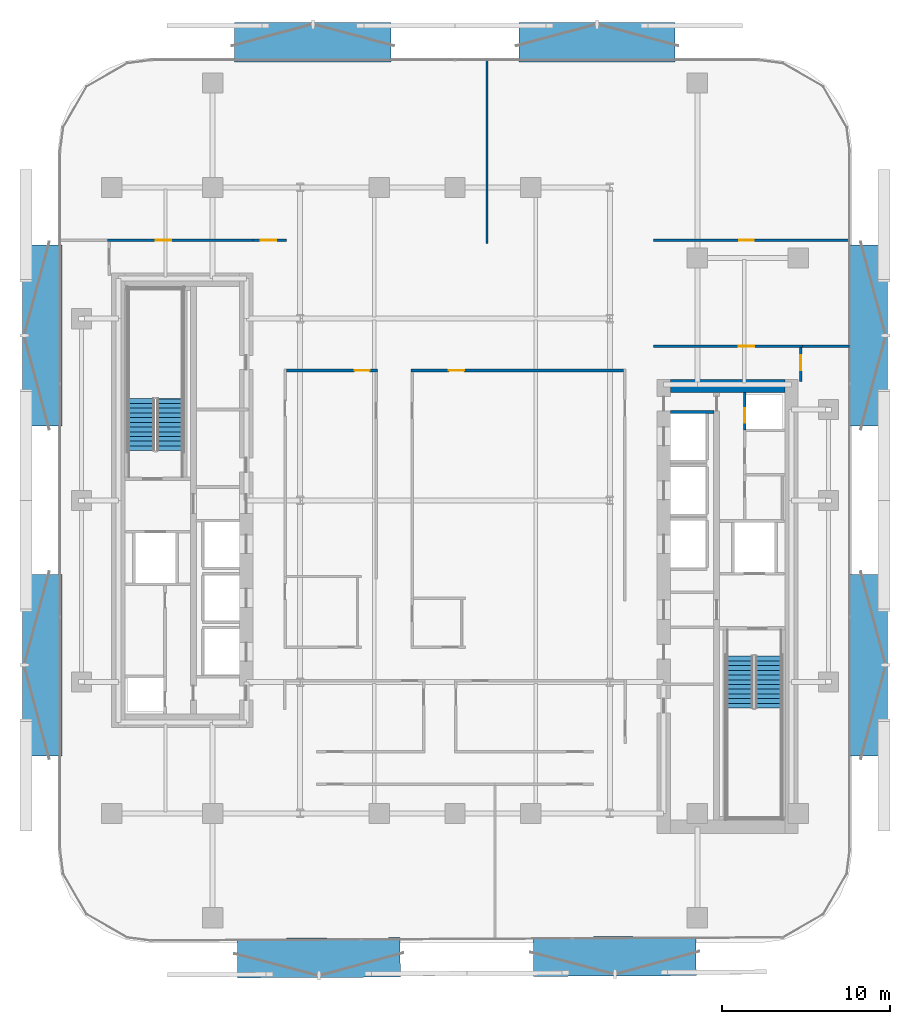
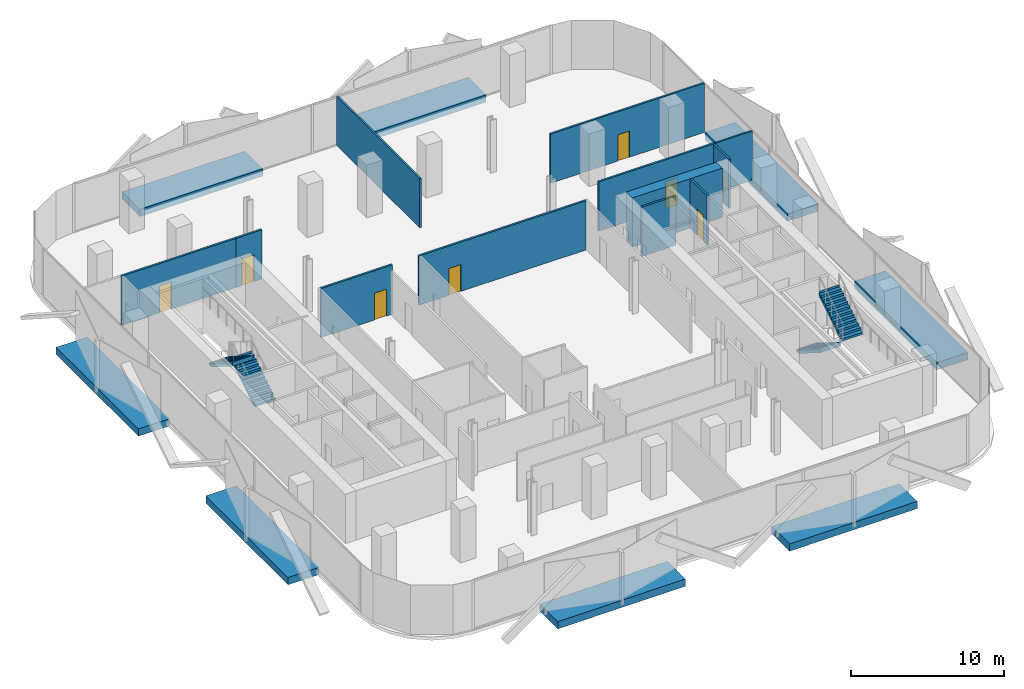
# One storey, part 6 of 15: 12 walls, 8 discrete accessories, 8 doors, 4 stair flights, 8 openings, 2 elements without a shape of their own.
"""IFC4 building model written with IfcOpenShell, lengths in metres."""

import ifcopenshell
import ifcopenshell.guid

model = None  # the IFC model being written
_history = None  # IfcOwnerHistory: only IFC2X3 demands one
_inside = {}  # id of a spatial element -> (the spatial element, [elements in it])
_under = {}  # id of a project, library or spatial element -> (it, [spatial elements below it])
_declared = {}  # id of a project -> (the project, [libraries it declares])
_typed = {}  # id of a type object -> (the type object, [elements of that type])
_made_of = {}  # id of a material, layer set ... -> (it, [elements and type objects made of it])


def new_model(schema):
    """Start an empty IFC model of exactly this schema.

    Asked for "IFC4X3", IfcOpenShell would pick the latest addendum, in which some entities
    have other attributes; the version numbers below select the first issue.
    IFC2X3 requires an IfcOwnerHistory on every rooted entity: one is made here for all.
    """
    global model, _history
    if schema == "IFC4X3":
        model = ifcopenshell.file(schema_version=(4, 3, 0, 0))
    else:
        model = ifcopenshell.file(schema=schema)
    _inside.clear()
    _under.clear()
    _declared.clear()
    _typed.clear()
    _made_of.clear()
    _history = None
    if model.schema == "IFC2X3":
        org = make("IfcOrganization", Name="unknown")
        user = make(
            "IfcPersonAndOrganization",
            ThePerson=make("IfcPerson", FamilyName="unknown"),
            TheOrganization=org,
        )
        app = make(
            "IfcApplication",
            ApplicationDeveloper=org,
            Version="unknown",
            ApplicationFullName="unknown",
            ApplicationIdentifier="unknown",
        )
        _history = make(
            "IfcOwnerHistory",
            OwningUser=user,
            OwningApplication=app,
            ChangeAction="ADDED",
            CreationDate=0,
        )
    return model


def make(cls, **values):
    """One entity of the class cls with the attributes given. An attribute that is None is left unset."""
    return model.create_entity(
        cls, **{name: value for name, value in values.items() if value is not None}
    )


def rooted(cls, **values):
    """An entity with a GlobalId (a new one), such as an element, a storey or a relation."""
    return make(cls, GlobalId=ifcopenshell.guid.new(), OwnerHistory=_history, **values)


def si_unit(unit_type, name, prefix=None):
    """IfcSIUnit, for example si_unit("LENGTHUNIT", "METRE", prefix="MILLI")."""
    return make("IfcSIUnit", UnitType=unit_type, Prefix=prefix, Name=name)


def assignment(units):
    """IfcUnitAssignment: the units of a project."""
    return None if units is None else make("IfcUnitAssignment", Units=units)


def point(xyz):
    """IfcCartesianPoint."""
    return None if xyz is None else make("IfcCartesianPoint", Coordinates=xyz)


def direction(xyz):
    """IfcDirection."""
    return None if xyz is None else make("IfcDirection", DirectionRatios=xyz)


def frame(location, z_axis=None, x_axis=None):
    """IfcAxis2Placement3D, a coordinate frame: its origin and axes. An axis left out is left unset."""
    return make(
        "IfcAxis2Placement3D",
        Location=point(location),
        Axis=direction(z_axis),
        RefDirection=direction(x_axis),
    )


def frame_2d(location, x_axis=None):
    """IfcAxis2Placement2D, a coordinate frame in the plane: its origin and x axis."""
    return make(
        "IfcAxis2Placement2D", Location=point(location), RefDirection=direction(x_axis)
    )


def origin():
    """The frame at (0, 0, 0) with its axes left unset."""
    return frame((0.0, 0.0, 0.0))


def origin_2d():
    """The frame at (0, 0) in the plane with its x axis left unset."""
    return frame_2d((0.0, 0.0))


def place(relative_to, where):
    """IfcLocalPlacement: puts the frame where relative to a parent placement (None: the world)."""
    return make(
        "IfcLocalPlacement", PlacementRelTo=relative_to, RelativePlacement=where
    )


def context(
    kind, dimensions, precision=None, world=None, true_north=None, identifier=None
):
    """IfcGeometricRepresentationContext, for example the 3D "Model" context."""
    return make(
        "IfcGeometricRepresentationContext",
        ContextIdentifier=identifier,
        ContextType=kind,
        CoordinateSpaceDimension=dimensions,
        Precision=precision,
        WorldCoordinateSystem=world,
        TrueNorth=true_north,
    )


def subcontext(parent, identifier, kind, view, scale=None):
    """IfcGeometricRepresentationSubContext, for example "Body" below "Model"."""
    return make(
        "IfcGeometricRepresentationSubContext",
        ContextIdentifier=identifier,
        ContextType=kind,
        ParentContext=parent,
        TargetScale=scale,
        TargetView=view,
    )


def project(units=None, contexts=None):
    """IfcProject with its units and contexts."""
    return rooted(
        "IfcProject",
        Name="project",
        RepresentationContexts=contexts,
        UnitsInContext=assignment(units),
    )


def spatial(cls, under=None, at=None, **own):
    """A site, building, storey or space (cls), placed at a placement, below another one or the project."""
    s = rooted(cls, ObjectPlacement=at, **own)
    if under is not None:
        _under.setdefault(under.id(), (under, []))[1].append(s)
    return s


def polyline(points):
    """IfcPolyline through the points."""
    return make("IfcPolyline", Points=[point(p) for p in points])


def profile(cls, at=None, kind="AREA", **sizes):
    """A parametric profile (cls). Its sizes go by their IFC names, for example OverallWidth=200.0."""
    return make(cls, ProfileType=kind, Position=at, **sizes)


def rectangle(**sizes):
    """IfcRectangleProfileDef."""
    return profile("IfcRectangleProfileDef", **sizes)


def outline(outer, holes=None, kind="AREA"):
    """IfcArbitraryClosedProfileDef: a profile drawn as a closed curve; with holes, ...WithVoids."""
    if holes is None:
        return make("IfcArbitraryClosedProfileDef", ProfileType=kind, OuterCurve=outer)
    return make(
        "IfcArbitraryProfileDefWithVoids",
        ProfileType=kind,
        OuterCurve=outer,
        InnerCurves=holes,
    )


def extrude(swept, where, along, depth):
    """IfcExtrudedAreaSolid: the profile swept, set in the frame where, extruded along a direction by depth."""
    return make(
        "IfcExtrudedAreaSolid",
        SweptArea=swept,
        Position=where,
        ExtrudedDirection=direction(along),
        Depth=depth,
    )


def shape(context_of_items, identifier, shape_type, items):
    """IfcShapeRepresentation: the items that make up one representation, for example the "Body"."""
    return make(
        "IfcShapeRepresentation",
        ContextOfItems=context_of_items,
        RepresentationIdentifier=identifier,
        RepresentationType=shape_type,
        Items=items,
    )


def material(Name=None, Category=None):
    """IfcMaterial."""
    return make("IfcMaterial", Name=Name, Category=Category)


def layer(
    of_material, thickness, ventilated=None, Name=None, Category=None, Priority=None
):
    """IfcMaterialLayer: one layer of a wall or slab, of a material (None: an air gap)."""
    return make(
        "IfcMaterialLayer",
        Material=of_material,
        LayerThickness=thickness,
        IsVentilated=ventilated,
        Name=Name,
        Category=Category,
        Priority=Priority,
    )


def layer_set(layers, Name=None):
    """IfcMaterialLayerSet."""
    return make("IfcMaterialLayerSet", MaterialLayers=layers, LayerSetName=Name)


def made_of(thing, what):
    """Note that an element or type object is made of a material, layer set ...; save() writes the relation."""
    if what is not None:
        _made_of.setdefault(what.id(), (what, []))[1].append(thing)
    return thing


def type_object(cls, material=None, **own):
    """A type object (cls), such as IfcWallType, which elements share."""
    return made_of(rooted(cls, **own), material)


def element(
    cls,
    number,
    at=None,
    inside=None,
    cuts=None,
    type_object=None,
    material=None,
    context=None,
    identifier="Body",
    shape_type=None,
    held_by="IfcProductDefinitionShape",
    body=None,
    shapes=None,
    **own,
):
    """One element of the class cls, such as IfcWall. Its Tag is "e" and its number.

    at: its placement. inside: the storey or other place that contains it. cuts: it is an
    opening in that element (IfcRelVoidsElement). A single representation is given by context,
    identifier, shape_type and body (its items); several are given by shapes. held_by: the class
    of the entity that holds the representations. save() writes the other relations.
    """
    e = rooted(cls, Tag="e%d" % number, ObjectPlacement=at, **own)
    if body is not None:
        shapes = [shape(context, identifier, shape_type, body)]
    if shapes is not None:
        e.Representation = make(held_by, Representations=shapes)
    if inside is not None:
        _inside.setdefault(inside.id(), (inside, []))[1].append(e)
    if cuts is not None:
        rooted(
            "IfcRelVoidsElement", RelatingBuildingElement=cuts, RelatedOpeningElement=e
        )
    if type_object is not None:
        _typed.setdefault(type_object.id(), (type_object, []))[1].append(e)
    return made_of(e, material)


def fill(opening, filler):
    """IfcRelFillsElement: the door or window that sits in an opening."""
    return rooted(
        "IfcRelFillsElement",
        RelatingOpeningElement=opening,
        RelatedBuildingElement=filler,
    )


def aggregate(whole, parts):
    """IfcRelAggregates: a whole, such as a stair, and the parts it consists of."""
    return rooted("IfcRelAggregates", RelatingObject=whole, RelatedObjects=parts)


def save(model, path):
    """Write the relations noted so far, then the file.

    IfcRelAggregates (storeys below a building ...), IfcRelContainedInSpatialStructure (elements
    in a storey), IfcRelDefinesByType, IfcRelAssociatesMaterial and IfcRelDeclares: one each for
    every whole, place, type object, material and project.
    """
    for whole, parts in _under.values():
        aggregate(whole, parts)
    for where, things in _inside.values():
        rooted(
            "IfcRelContainedInSpatialStructure",
            RelatedElements=things,
            RelatingStructure=where,
        )
    for kind, things in _typed.values():
        rooted("IfcRelDefinesByType", RelatedObjects=things, RelatingType=kind)
    for what, things in _made_of.values():
        rooted("IfcRelAssociatesMaterial", RelatedObjects=things, RelatingMaterial=what)
    for by, libraries in _declared.values():
        rooted("IfcRelDeclares", RelatingContext=by, RelatedDefinitions=libraries)
    model.write(path)


model = new_model("IFC4")

# Units and contexts
model_context = context("Model", 3, precision=1e-05, world=origin(), true_north=direction((0.0, 1.0)))
body_context = subcontext(model_context, "Body", "Model", "MODEL_VIEW")
ifc_project = project(units=[si_unit("LENGTHUNIT", "METRE"), si_unit("AREAUNIT", "SQUARE_METRE"), si_unit("VOLUMEUNIT", "CUBIC_METRE"), si_unit("PLANEANGLEUNIT", "RADIAN"), si_unit("MASSUNIT", "GRAM", prefix="KILO")], contexts=[model_context])

# Site, building, storey
site_placement = place(None, origin())
site = spatial("IfcSite", under=ifc_project, at=site_placement, CompositionType="ELEMENT")
building_placement = place(site_placement, origin())
building = spatial("IfcBuilding", under=site, at=building_placement, Name="Khairoan Windgate Tower", CompositionType="ELEMENT")
storey_placement = place(building_placement, frame((0.0, 0.0, 105.800048828125)))
storey = spatial("IfcBuildingStorey", under=building, at=storey_placement, Name="L24", CompositionType="ELEMENT", Elevation=105.800048828125)

# Walls
ifc_material_1 = material(Name="Concrete C40/50", Category="concrete")
ifc_layer_1 = layer(ifc_material_1, 0.159912109375, Name="Concrete C40/50")
ifc_layer_set_1 = layer_set([ifc_layer_1], Name="Concrete C40/50")
wall_type_1 = type_object("IfcWallType", Name="Core and Hoistway Enclosure Wall", PredefinedType="STANDARD", material=ifc_layer_set_1)
wall_1_placement = place(storey_placement, frame((12.800048828125, 5.25, 0.0), z_axis=(0.0, 0.0, 1.0), x_axis=(1.0, 0.0, 0.0)))
element("IfcWall", 1, at=wall_1_placement, inside=storey, type_object=wall_type_1, Name="L24 Core Shaft Wall SW-ESV-L24", PredefinedType="STANDARD", context=body_context, shape_type="SweptSolid", body=[
    extrude(rectangle(XDim=2.599853515625, YDim=0.159912109375, at=frame_2d((1.2998046875, 0.0))), origin(), (0.0, 0.0, 1.0), 3.93994140625),
])
ifc_material_2 = material(Name="Acoustic Fire-Rated Gypsum Partition", Category="gypsum")
ifc_layer_2 = layer(ifc_material_2, 0.139892578125, Name="Acoustic Fire-Rated Gypsum Partition")
ifc_layer_set_2 = layer_set([ifc_layer_2], Name="Acoustic Fire-Rated Gypsum Partition")
wall_type_2 = type_object("IfcWallType", Name="Inter-Tenancy Compartment Wall", PredefinedType="PARTITIONING", material=ifc_layer_set_2)
wall_2_placement = place(storey_placement, frame((20.639892578125, 9.159912109375, 0.0), z_axis=(0.0, 0.0, 1.0), x_axis=(1.0, 0.0, 0.0)))
element("IfcWall", 2, at=wall_2_placement, inside=storey, type_object=wall_type_2, Name="L24 Interior Partition 037", PredefinedType="PARTITIONING", context=body_context, shape_type="SweptSolid", body=[
    extrude(rectangle(XDim=2.815185546875, YDim=0.139892578125, at=frame_2d((1.40771484375, 0.0))), origin(), (0.0, 0.0, 1.0), 3.93994140625),
])

# Wall, opening, door
wall_3_placement = place(storey_placement, frame((11.81005859375, 15.4599609375, 0.0), z_axis=(0.0, 0.0, 1.0), x_axis=(1.0, 0.0, 0.0)))
wall_3 = element("IfcWall", 3, at=wall_3_placement, inside=storey, type_object=wall_type_2, Name="L24 Interior Partition 038", PredefinedType="PARTITIONING", context=body_context, shape_type="SweptSolid", body=[
    extrude(rectangle(XDim=11.64501953125, YDim=0.139892578125, at=frame_2d((5.822509765625, 0.0))), origin(), (0.0, 0.0, 1.0), 3.93994140625),
])
opening_1_placement = place(wall_3_placement, frame((5.09521484375, 0.0, 0.0)))
opening_1 = element("IfcOpeningElement", 4, at=opening_1_placement, cuts=wall_3, Name="Opening FD-SRV", PredefinedType="OPENING", context=body_context, shape_type="SweptSolid", body=[
    extrude(rectangle(XDim=0.85009765625, YDim=2.10009765625, at=frame_2d((0.425048828125, 1.050048828125))), frame((0.0, 0.079833984375, 0.0), z_axis=(0.0, -1.0, 0.0), x_axis=(1.0, 0.0, 0.0)), (0.0, 0.0, 1.0), 0.159912109375),
])
ifc_material_3 = material(Name="Steel S355", Category="steel")
door_type_1 = type_object("IfcDoorType", Name="Core Service and Riser Fire Door FD-SRV 850x2100", OperationType="NOTDEFINED", PredefinedType="DOOR", material=ifc_material_3)
door_1_placement = place(opening_1_placement, origin())
door_1 = element("IfcDoor", 5, at=door_1_placement, inside=storey, type_object=door_type_1, Name="L24 L24-39-L24-41 Door", OperationType="SINGLE_SWING_RIGHT", OverallHeight=2.10009765625, OverallWidth=0.85009765625, PredefinedType="DOOR", context=body_context, shape_type="SweptSolid", body=[
    extrude(rectangle(XDim=0.85009765625, YDim=2.10009765625, at=frame_2d((0.425048828125, 1.050048828125))), frame((0.0, 0.02490234375, 0.0), z_axis=(0.0, -1.0, 0.0), x_axis=(1.0, 0.0, 0.0)), (0.0, 0.0, 1.0), 0.050048828125),
])
fill(opening_1, door_1)

# Wall
wall_4_placement = place(storey_placement, frame((1.904052734375, 15.280029296875, 0.0), z_axis=(0.0, 0.0, 1.0), x_axis=(0.0, 1.0, 0.0)))
element("IfcWall", 6, at=wall_4_placement, inside=storey, type_object=wall_type_2, Name="L24 Interior Partition 039", PredefinedType="PARTITIONING", context=body_context, shape_type="SweptSolid", body=[
    extrude(rectangle(XDim=10.875, YDim=0.139892578125, at=frame_2d((5.4375, 0.0))), origin(), (0.0, 0.0, 1.0), 3.93994140625),
])

# Wall, opening, door
ifc_material_4 = material(Name="Concrete C40/50", Category="concrete")
ifc_layer_3 = layer(ifc_material_4, 0.159912109375, Name="Concrete C40/50")
ifc_layer_set_3 = layer_set([ifc_layer_3], Name="Concrete C40/50")
wall_type_3 = type_object("IfcWallType", Name="Plant and Refuge Compartment Wall", PredefinedType="PARTITIONING", material=ifc_layer_set_3)
wall_5_placement = place(storey_placement, frame((17.22998046875, 4.169921875, 0.0), z_axis=(0.0, 0.0, 1.0), x_axis=(0.0, 1.0, 0.0)))
wall_5 = element("IfcWall", 7, at=wall_5_placement, inside=storey, type_object=wall_type_3, Name="L24 Interior Partition 005", PredefinedType="PARTITIONING", context=body_context, shape_type="SweptSolid", body=[
    extrude(rectangle(XDim=2.22998046875, YDim=0.159912109375, at=frame_2d((1.114990234375, 0.0))), origin(), (0.0, 0.0, 1.0), 3.93994140625),
])
opening_2_placement = place(wall_5_placement, frame((0.4599609375, 0.0, 0.0)))
opening_2 = element("IfcOpeningElement", 8, at=opening_2_placement, cuts=wall_5, Name="Opening FD-SRV", PredefinedType="OPENING", context=body_context, shape_type="SweptSolid", body=[
    extrude(rectangle(XDim=0.85009765625, YDim=2.10009765625, at=frame_2d((0.425048828125, 1.050048828125))), frame((0.0, 0.08984375, 0.0), z_axis=(0.0, -1.0, 0.0), x_axis=(1.0, 0.0, 0.0)), (0.0, 0.0, 1.0), 0.179931640625),
])
door_2_placement = place(opening_2_placement, origin())
door_2 = element("IfcDoor", 9, at=door_2_placement, inside=storey, type_object=door_type_1, Name="L24 L24-17-L24-18 Door", OperationType="SINGLE_SWING_RIGHT", OverallHeight=2.10009765625, OverallWidth=0.85009765625, PredefinedType="DOOR", context=body_context, shape_type="SweptSolid", body=[
    extrude(rectangle(XDim=0.85009765625, YDim=2.10009765625, at=frame_2d((0.425048828125, 1.050048828125))), frame((0.0, 0.02490234375, 0.0), z_axis=(0.0, -1.0, 0.0), x_axis=(1.0, 0.0, 0.0)), (0.0, 0.0, 1.0), 0.050048828125),
])
fill(opening_2, door_2)

ifc_material_5 = material(Name="Acoustic Fire-Rated Gypsum Partition", Category="gypsum")
ifc_layer_4 = layer(ifc_material_5, 0.14990234375, Name="Acoustic Fire-Rated Gypsum Partition")
ifc_layer_set_4 = layer_set([ifc_layer_4], Name="Acoustic Fire-Rated Gypsum Partition")
wall_type_4 = type_object("IfcWallType", Name="Rated Corridor Partition Wall", PredefinedType="PARTITIONING", material=ifc_layer_set_4)
wall_6_placement = place(storey_placement, frame((-11.989990234375, 15.4599609375, 0.0), z_axis=(0.0, 0.0, 1.0), x_axis=(1.0, 0.0, 0.0)))
wall_6 = element("IfcWall", 10, at=wall_6_placement, inside=storey, type_object=wall_type_4, Name="L24 Interior Partition 011", PredefinedType="PARTITIONING", context=body_context, shape_type="SweptSolid", body=[
    extrude(rectangle(XDim=1.97998046875, YDim=0.14990234375, at=frame_2d((0.989990234375, 0.0))), origin(), (0.0, 0.0, 1.0), 3.93994140625),
])
opening_3_placement = place(wall_6_placement, frame((0.4599609375, 0.0, 0.0)))
opening_3 = element("IfcOpeningElement", 11, at=opening_3_placement, cuts=wall_6, Name="Opening FD-ENT", PredefinedType="OPENING", context=body_context, shape_type="SweptSolid", body=[
    extrude(rectangle(XDim=0.89990234375, YDim=2.14990234375, at=frame_2d((0.449951171875, 1.074951171875))), frame((0.0, 0.0849609375, 0.0), z_axis=(0.0, -1.0, 0.0), x_axis=(1.0, 0.0, 0.0)), (0.0, 0.0, 1.0), 0.169921875),
])
ifc_material_6 = material(Name="Timber Fire-Rated Core", Category="wood")
door_type_2 = type_object("IfcDoorType", Name="Unit and Office Fire Entrance Door FD-ENT 900x2150", OperationType="NOTDEFINED", PredefinedType="DOOR", material=ifc_material_6)
door_3_placement = place(opening_3_placement, origin())
door_3 = element("IfcDoor", 12, at=door_3_placement, inside=storey, type_object=door_type_2, Name="L24 L24-28-L24-40 Door", OperationType="SINGLE_SWING_LEFT", OverallHeight=2.14990234375, OverallWidth=0.89990234375, PredefinedType="DOOR", context=body_context, shape_type="SweptSolid", body=[
    extrude(rectangle(XDim=0.89990234375, YDim=2.14990234375, at=frame_2d((0.449951171875, 1.074951171875))), frame((0.0, 0.02490234375, 0.0), z_axis=(0.0, -1.0, 0.0), x_axis=(1.0, 0.0, 0.0)), (0.0, 0.0, 1.0), 0.050048828125),
])
fill(opening_3, door_3)

wall_7_placement = place(storey_placement, frame((-2.6201171875, 7.719970703125, 0.0), z_axis=(0.0, 0.0, 1.0), x_axis=(1.0, 0.0, 0.0)))
wall_7 = element("IfcWall", 13, at=wall_7_placement, inside=storey, type_object=wall_type_4, Name="L24 Interior Partition 017", PredefinedType="PARTITIONING", context=body_context, shape_type="SweptSolid", body=[
    extrude(rectangle(XDim=12.64501953125, YDim=0.14990234375, at=frame_2d((6.322509765625, 0.0))), origin(), (0.0, 0.0, 1.0), 3.93994140625),
])
opening_4_placement = place(wall_7_placement, frame((2.26416015625, 0.0, 0.0)))
opening_4 = element("IfcOpeningElement", 14, at=opening_4_placement, cuts=wall_7, Name="Opening FD-ENT", PredefinedType="OPENING", context=body_context, shape_type="SweptSolid", body=[
    extrude(rectangle(XDim=0.89990234375, YDim=2.14990234375, at=frame_2d((0.449951171875, 1.074951171875))), frame((0.0, 0.0849609375, 0.0), z_axis=(0.0, -1.0, 0.0), x_axis=(1.0, 0.0, 0.0)), (0.0, 0.0, 1.0), 0.169921875),
])
door_4_placement = place(opening_4_placement, origin())
door_4 = element("IfcDoor", 15, at=door_4_placement, inside=storey, type_object=door_type_2, Name="L24 L24-30-L24-45 Door", OperationType="SINGLE_SWING_LEFT", OverallHeight=2.14990234375, OverallWidth=0.89990234375, PredefinedType="DOOR", context=body_context, shape_type="SweptSolid", body=[
    extrude(rectangle(XDim=0.89990234375, YDim=2.14990234375, at=frame_2d((0.449951171875, 1.074951171875))), frame((0.0, 0.02490234375, 0.0), z_axis=(0.0, -1.0, 0.0), x_axis=(1.0, 0.0, 0.0)), (0.0, 0.0, 1.0), 0.050048828125),
])
fill(opening_4, door_4)

wall_8_placement = place(storey_placement, frame((-10.02490234375, 7.719970703125, 0.0), z_axis=(0.0, 0.0, 1.0), x_axis=(1.0, 0.0, 0.0)))
wall_8 = element("IfcWall", 16, at=wall_8_placement, inside=storey, type_object=wall_type_4, Name="L24 Interior Partition 018", PredefinedType="PARTITIONING", context=body_context, shape_type="SweptSolid", body=[
    extrude(rectangle(XDim=5.419921875, YDim=0.14990234375, at=frame_2d((2.7099609375, 0.0))), origin(), (0.0, 0.0, 1.0), 3.93994140625),
])
opening_5_placement = place(wall_8_placement, frame((4.06005859375, 0.0, 0.0)))
opening_5 = element("IfcOpeningElement", 17, at=opening_5_placement, cuts=wall_8, Name="Opening FD-ENT", PredefinedType="OPENING", context=body_context, shape_type="SweptSolid", body=[
    extrude(rectangle(XDim=0.89990234375, YDim=2.14990234375, at=frame_2d((0.449951171875, 1.074951171875))), frame((0.0, 0.0849609375, 0.0), z_axis=(0.0, -1.0, 0.0), x_axis=(1.0, 0.0, 0.0)), (0.0, 0.0, 1.0), 0.169921875),
])
door_5_placement = place(opening_5_placement, origin())
door_5 = element("IfcDoor", 18, at=door_5_placement, inside=storey, type_object=door_type_2, Name="L24 L24-30-L24-47 Door", OperationType="SINGLE_SWING_RIGHT", OverallHeight=2.14990234375, OverallWidth=0.89990234375, PredefinedType="DOOR", context=body_context, shape_type="SweptSolid", body=[
    extrude(rectangle(XDim=0.89990234375, YDim=2.14990234375, at=frame_2d((0.449951171875, 1.074951171875))), frame((0.0, 0.02490234375, 0.0), z_axis=(0.0, -1.0, 0.0), x_axis=(1.0, 0.0, 0.0)), (0.0, 0.0, 1.0), 0.050048828125),
])
fill(opening_5, door_5)

wall_9_placement = place(storey_placement, frame((-20.639892578125, 15.4599609375, 0.0), z_axis=(0.0, 0.0, 1.0), x_axis=(1.0, 0.0, 0.0)))
wall_9 = element("IfcWall", 19, at=wall_9_placement, inside=storey, type_object=wall_type_4, Name="L24 Interior Partition 027", PredefinedType="PARTITIONING", context=body_context, shape_type="SweptSolid", body=[
    extrude(rectangle(XDim=8.64990234375, YDim=0.14990234375, at=frame_2d((4.324951171875, 0.0))), origin(), (0.0, 0.0, 1.0), 3.93994140625),
])
opening_6_placement = place(wall_9_placement, frame((2.87060546875, 0.0, 0.0)))
opening_6 = element("IfcOpeningElement", 20, at=opening_6_placement, cuts=wall_9, Name="Opening FD-ENT", PredefinedType="OPENING", context=body_context, shape_type="SweptSolid", body=[
    extrude(rectangle(XDim=0.89990234375, YDim=2.14990234375, at=frame_2d((0.449951171875, 1.074951171875))), frame((0.0, 0.0849609375, 0.0), z_axis=(0.0, -1.0, 0.0), x_axis=(1.0, 0.0, 0.0)), (0.0, 0.0, 1.0), 0.169921875),
])
door_6_placement = place(opening_6_placement, origin())
door_6 = element("IfcDoor", 21, at=door_6_placement, inside=storey, type_object=door_type_2, Name="L24 L24-33-L24-40 Door", OperationType="SINGLE_SWING_LEFT", OverallHeight=2.14990234375, OverallWidth=0.89990234375, PredefinedType="DOOR", context=body_context, shape_type="SweptSolid", body=[
    extrude(rectangle(XDim=0.89990234375, YDim=2.14990234375, at=frame_2d((0.449951171875, 1.074951171875))), frame((0.0, 0.02490234375, 0.0), z_axis=(0.0, -1.0, 0.0), x_axis=(1.0, 0.0, 0.0)), (0.0, 0.0, 1.0), 0.050048828125),
])
fill(opening_6, door_6)

wall_10_placement = place(storey_placement, frame((20.5400390625, 7.06005859375, 0.0), z_axis=(0.0, 0.0, 1.0), x_axis=(0.0, 1.0, 0.0)))
wall_10 = element("IfcWall", 22, at=wall_10_placement, inside=storey, type_object=wall_type_4, Name="L24 Interior Partition 028", PredefinedType="PARTITIONING", context=body_context, shape_type="SweptSolid", body=[
    extrude(rectangle(XDim=2.02490234375, YDim=0.14990234375, at=frame_2d((1.012451171875, 0.0))), origin(), (0.0, 0.0, 1.0), 3.93994140625),
])
opening_7_placement = place(wall_10_placement, frame((0.6650390625, 0.0, 0.0)))
opening_7 = element("IfcOpeningElement", 23, at=opening_7_placement, cuts=wall_10, Name="Opening FD-ENT", PredefinedType="OPENING", context=body_context, shape_type="SweptSolid", body=[
    extrude(rectangle(XDim=0.89990234375, YDim=2.14990234375, at=frame_2d((0.449951171875, 1.074951171875))), frame((0.0, 0.0849609375, 0.0), z_axis=(0.0, -1.0, 0.0), x_axis=(1.0, 0.0, 0.0)), (0.0, 0.0, 1.0), 0.169921875),
])
door_7_placement = place(opening_7_placement, origin())
door_7 = element("IfcDoor", 24, at=door_7_placement, inside=storey, type_object=door_type_2, Name="L24 L24-34-L24-38 Door", OperationType="SINGLE_SWING_RIGHT", OverallHeight=2.14990234375, OverallWidth=0.89990234375, PredefinedType="DOOR", context=body_context, shape_type="SweptSolid", body=[
    extrude(rectangle(XDim=0.89990234375, YDim=2.14990234375, at=frame_2d((0.449951171875, 1.074951171875))), frame((0.0, 0.02490234375, 0.0), z_axis=(0.0, -1.0, 0.0), x_axis=(1.0, 0.0, 0.0)), (0.0, 0.0, 1.0), 0.050048828125),
])
fill(opening_7, door_7)

wall_11_placement = place(storey_placement, frame((11.81005859375, 9.159912109375, 0.0), z_axis=(0.0, 0.0, 1.0), x_axis=(1.0, 0.0, 0.0)))
wall_11 = element("IfcWall", 25, at=wall_11_placement, inside=storey, type_object=wall_type_4, Name="L24 Interior Partition 029", PredefinedType="PARTITIONING", context=body_context, shape_type="SweptSolid", body=[
    extrude(rectangle(XDim=8.829833984375, YDim=0.14990234375, at=frame_2d((4.4150390625, 0.0))), origin(), (0.0, 0.0, 1.0), 3.93994140625),
])
opening_8_placement = place(wall_11_placement, frame((5.066650390625, 0.0, 0.0)))
opening_8 = element("IfcOpeningElement", 26, at=opening_8_placement, cuts=wall_11, Name="Opening FD-ENT", PredefinedType="OPENING", context=body_context, shape_type="SweptSolid", body=[
    extrude(rectangle(XDim=0.89990234375, YDim=2.14990234375, at=frame_2d((0.449951171875, 1.074951171875))), frame((0.0, 0.0849609375, 0.0), z_axis=(0.0, -1.0, 0.0), x_axis=(1.0, 0.0, 0.0)), (0.0, 0.0, 1.0), 0.169921875),
])
door_8_placement = place(opening_8_placement, origin())
door_8 = element("IfcDoor", 27, at=door_8_placement, inside=storey, type_object=door_type_2, Name="L24 L24-34-L24-39 Door", OperationType="SINGLE_SWING_LEFT", OverallHeight=2.14990234375, OverallWidth=0.89990234375, PredefinedType="DOOR", context=body_context, shape_type="SweptSolid", body=[
    extrude(rectangle(XDim=0.89990234375, YDim=2.14990234375, at=frame_2d((0.449951171875, 1.074951171875))), frame((0.0, 0.02490234375, 0.0), z_axis=(0.0, -1.0, 0.0), x_axis=(1.0, 0.0, 0.0)), (0.0, 0.0, 1.0), 0.050048828125),
])
fill(opening_8, door_8)

# Wall
ifc_material_7 = material(Name="Concrete C70/85", Category="concrete")
ifc_layer_5 = layer(ifc_material_7, 0.800048828125, Name="Concrete C70/85")
ifc_layer_set_5 = layer_set([ifc_layer_5], Name="Concrete C70/85")
wall_type_5 = type_object("IfcWallType", Name="Shear Wall CW-E1 800mm", PredefinedType="SHEAR", material=ifc_layer_set_5)
wall_12_placement = place(storey_placement, frame((12.800048828125, 6.800048828125, 0.0), z_axis=(0.0, 0.0, 1.0), x_axis=(1.0, 0.0, 0.0)))
element("IfcWall", 28, at=wall_12_placement, inside=storey, type_object=wall_type_5, Name="E Core North Shear Wall L24", PredefinedType="SHEAR", context=body_context, shape_type="SweptSolid", body=[
    extrude(rectangle(XDim=6.800048828125, YDim=0.800048828125, at=frame_2d((3.39990234375, 0.0))), origin(), (0.0, 0.0, 1.0), 3.93994140625),
])

# Stair, stair flights
ifc_material_8 = material(Name="Concrete C40/50", Category="concrete")
stair_type = type_object("IfcStairType", Name="Tower Core Dog-Leg Stair ST-T1 1560mm", PredefinedType="HALF_TURN_STAIR", material=ifc_material_8)
stair_1_placement = place(storey_placement, origin())
stair_1 = element("IfcStair", 29, at=stair_1_placement, inside=storey, type_object=stair_type, Name="L24 Stair ST1", PredefinedType="HALF_TURN_STAIR")
ifc_material_9 = material(Name="Concrete C40/50", Category="concrete")
ifc_layer_6 = layer(ifc_material_9, 0.14990234375, Name="Concrete C40/50")
ifc_layer_set_6 = layer_set([ifc_layer_6], Name="Concrete C40/50")
stair_flight_type = type_object("IfcStairFlightType", Name="Tower Core Stair Flight STF-1560", PredefinedType="STRAIGHT", material=ifc_layer_set_6)
stair_flight_1_placement = place(storey_placement, frame((16.929931640625, -9.260009765625, 0.0), z_axis=(0.0, 0.0, 1.0), x_axis=(0.0, -1.0, 0.0)))
stair_flight_1 = element("IfcStairFlight", 30, at=stair_flight_1_placement, type_object=stair_flight_type, Name="ST1 flight 1", NumberOfRisers=12, NumberOfTreads=11, PredefinedType="STRAIGHT", RiserHeight=0.175, TreadLength=0.28, context=body_context, shape_type="SweptSolid", body=[
    extrude(outline(polyline([(-0.00390625, 0.0), (-0.00390625, 0.175048828125), (0.0, 0.175048828125), (0.280029296875, 0.175048828125), (0.280029296875, 0.35009765625), (0.56005859375, 0.35009765625), (0.56005859375, 0.52490234375), (0.840087890625, 0.52490234375), (0.840087890625, 0.699951171875), (1.1201171875, 0.699951171875), (1.1201171875, 0.875), (1.39990234375, 0.875), (1.39990234375, 1.050048828125), (1.679931640625, 1.050048828125), (1.679931640625, 1.22509765625), (1.9599609375, 1.22509765625), (1.9599609375, 1.39990234375), (2.239990234375, 1.39990234375), (2.239990234375, 1.574951171875), (2.52001953125, 1.574951171875), (2.52001953125, 1.75), (2.800048828125, 1.75), (2.800048828125, 1.925048828125), (3.080078125, 1.925048828125), (3.080078125, 2.10009765625), (3.083984375, 2.10009765625), (3.083984375, 1.748291015625), (0.28271484375, 0.0), (-0.00390625, 0.0)])), frame((0.0, 0.780029296875, 0.0), z_axis=(0.0, -1.0, 0.0), x_axis=(1.0, 0.0, 0.0)), (0.0, 0.0, 1.0), 1.56005859375),
])
stair_flight_2_placement = place(storey_placement, frame((18.639892578125, -12.340087890625, 2.099853515625), z_axis=(0.0, 0.0, 1.0), x_axis=(0.0, 1.0, 0.0)))
stair_flight_2 = element("IfcStairFlight", 31, at=stair_flight_2_placement, type_object=stair_flight_type, Name="ST1 flight 2", NumberOfRisers=12, NumberOfTreads=11, PredefinedType="STRAIGHT", RiserHeight=0.175, TreadLength=0.28, context=body_context, shape_type="SweptSolid", body=[
    extrude(outline(polyline([(-0.00390625, 0.0), (-0.00390625, 0.175048828125), (0.0, 0.175048828125), (0.280029296875, 0.175048828125), (0.280029296875, 0.35009765625), (0.56005859375, 0.35009765625), (0.56005859375, 0.52490234375), (0.840087890625, 0.52490234375), (0.840087890625, 0.699951171875), (1.1201171875, 0.699951171875), (1.1201171875, 0.875), (1.39990234375, 0.875), (1.39990234375, 1.050048828125), (1.679931640625, 1.050048828125), (1.679931640625, 1.22509765625), (1.9599609375, 1.22509765625), (1.9599609375, 1.39990234375), (2.239990234375, 1.39990234375), (2.239990234375, 1.574951171875), (2.52001953125, 1.574951171875), (2.52001953125, 1.75), (2.800048828125, 1.75), (2.800048828125, 1.925048828125), (3.080078125, 1.925048828125), (3.080078125, 2.10009765625), (3.083984375, 2.10009765625), (3.083984375, 1.748291015625), (0.28271484375, 0.0), (-0.00390625, 0.0)])), frame((0.0, 0.780029296875, 0.0), z_axis=(0.0, -1.0, 0.0), x_axis=(1.0, 0.0, 0.0)), (0.0, 0.0, 1.0), 1.56005859375),
])
aggregate(stair_1, [stair_flight_1, stair_flight_2])

stair_2_placement = place(storey_placement, origin())
stair_2 = element("IfcStair", 32, at=stair_2_placement, inside=storey, type_object=stair_type, Name="L24 Stair ST2", PredefinedType="HALF_TURN_STAIR")
stair_flight_3_placement = place(storey_placement, frame((-16.929931640625, 2.9599609375, 0.0), z_axis=(0.0, 0.0, 1.0), x_axis=(0.0, 1.0, 0.0)))
stair_flight_3 = element("IfcStairFlight", 33, at=stair_flight_3_placement, type_object=stair_flight_type, Name="ST2 flight 1", NumberOfRisers=12, NumberOfTreads=11, PredefinedType="STRAIGHT", RiserHeight=0.175, TreadLength=0.28, context=body_context, shape_type="SweptSolid", body=[
    extrude(outline(polyline([(-0.00390625, 0.0), (-0.00390625, 0.175048828125), (0.0, 0.175048828125), (0.280029296875, 0.175048828125), (0.280029296875, 0.35009765625), (0.56005859375, 0.35009765625), (0.56005859375, 0.52490234375), (0.840087890625, 0.52490234375), (0.840087890625, 0.699951171875), (1.1201171875, 0.699951171875), (1.1201171875, 0.875), (1.39990234375, 0.875), (1.39990234375, 1.050048828125), (1.679931640625, 1.050048828125), (1.679931640625, 1.22509765625), (1.9599609375, 1.22509765625), (1.9599609375, 1.39990234375), (2.239990234375, 1.39990234375), (2.239990234375, 1.574951171875), (2.52001953125, 1.574951171875), (2.52001953125, 1.75), (2.800048828125, 1.75), (2.800048828125, 1.925048828125), (3.080078125, 1.925048828125), (3.080078125, 2.10009765625), (3.083984375, 2.10009765625), (3.083984375, 1.748291015625), (0.28271484375, 0.0), (-0.00390625, 0.0)])), frame((0.0, 0.780029296875, 0.0), z_axis=(0.0, -1.0, 0.0), x_axis=(1.0, 0.0, 0.0)), (0.0, 0.0, 1.0), 1.56005859375),
])
stair_flight_4_placement = place(storey_placement, frame((-18.639892578125, 6.0400390625, 2.099853515625), z_axis=(0.0, 0.0, 1.0), x_axis=(0.0, -1.0, 0.0)))
stair_flight_4 = element("IfcStairFlight", 34, at=stair_flight_4_placement, type_object=stair_flight_type, Name="ST2 flight 2", NumberOfRisers=12, NumberOfTreads=11, PredefinedType="STRAIGHT", RiserHeight=0.175, TreadLength=0.28, context=body_context, shape_type="SweptSolid", body=[
    extrude(outline(polyline([(-0.00390625, 0.0), (-0.00390625, 0.175048828125), (0.0, 0.175048828125), (0.280029296875, 0.175048828125), (0.280029296875, 0.35009765625), (0.56005859375, 0.35009765625), (0.56005859375, 0.52490234375), (0.840087890625, 0.52490234375), (0.840087890625, 0.699951171875), (1.1201171875, 0.699951171875), (1.1201171875, 0.875), (1.39990234375, 0.875), (1.39990234375, 1.050048828125), (1.679931640625, 1.050048828125), (1.679931640625, 1.22509765625), (1.9599609375, 1.22509765625), (1.9599609375, 1.39990234375), (2.239990234375, 1.39990234375), (2.239990234375, 1.574951171875), (2.52001953125, 1.574951171875), (2.52001953125, 1.75), (2.800048828125, 1.75), (2.800048828125, 1.925048828125), (3.080078125, 1.925048828125), (3.080078125, 2.10009765625), (3.083984375, 2.10009765625), (3.083984375, 1.748291015625), (0.28271484375, 0.0), (-0.00390625, 0.0)])), frame((0.0, 0.780029296875, 0.0), z_axis=(0.0, -1.0, 0.0), x_axis=(1.0, 0.0, 0.0)), (0.0, 0.0, 1.0), 1.56005859375),
])
aggregate(stair_2, [stair_flight_3, stair_flight_4])

# Discrete accessories
ifc_material_10 = material(Name="Steel S355", Category="steel")
discrete_accessory_type = type_object("IfcDiscreteAccessoryType", Name="Solar Screen Outrigger Slab Bracket SSB-1", PredefinedType="BRACKET", material=ifc_material_10)
for number, where, z_axis, x_axis, name in (
    (35, (9.497802734375, -27.09521484375, -0.420166015625), (0.0, 0.0, 1.0), (-0.999988059021, -0.004886902454, 0.0), "L24 Solar Screen Outrigger Bracket 137"),
    (36, (-8.091064453125, -27.18115234375, -0.420166015625), (0.0, 0.0, 1.0), (-0.999988059021, -0.004886902454, 0.0), "L24 Solar Screen Outrigger Bracket 138"),
):
    element("IfcDiscreteAccessory", number, at=place(storey_placement, frame(where, z_axis=z_axis, x_axis=x_axis)), inside=storey, type_object=discrete_accessory_type, Name=name, PredefinedType="BRACKET", context=body_context, shape_type="SweptSolid", body=[
        extrude(rectangle(XDim=9.674072265625, YDim=2.340087890625, at=origin_2d()), origin(), (0.0, 0.0, 1.0), 0.580078125),
    ])
for number, where, z_axis, x_axis, name in (
    (37, (-24.530029296875, -9.79541015625, -0.420166015625), (0.0, 0.0, 1.0), (0.0, 1.0, 0.0), "L24 Solar Screen Outrigger Bracket 139"),
    (38, (-24.530029296875, 9.79541015625, -0.420166015625), (0.0, 0.0, 1.0), (0.0, 1.0, 0.0), "L24 Solar Screen Outrigger Bracket 140"),
):
    element("IfcDiscreteAccessory", number, at=place(storey_placement, frame(where, z_axis=z_axis, x_axis=x_axis)), inside=storey, type_object=discrete_accessory_type, Name=name, PredefinedType="BRACKET", context=body_context, shape_type="SweptSolid", body=[
        extrude(rectangle(XDim=10.77490234375, YDim=2.340087890625, at=origin_2d()), origin(), (0.0, 0.0, 1.0), 0.580078125),
    ])
for number, where, z_axis, x_axis, name in (
    (39, (-8.4453125, 27.22998046875, -0.420166015625), (0.0, 0.0, 1.0), (1.0, 0.0, 0.0), "L24 Solar Screen Outrigger Bracket 141"),
    (40, (8.4453125, 27.22998046875, -0.420166015625), (0.0, 0.0, 1.0), (1.0, 0.0, 0.0), "L24 Solar Screen Outrigger Bracket 142"),
):
    element("IfcDiscreteAccessory", number, at=place(storey_placement, frame(where, z_axis=z_axis, x_axis=x_axis)), inside=storey, type_object=discrete_accessory_type, Name=name, PredefinedType="BRACKET", context=body_context, shape_type="SweptSolid", body=[
        extrude(rectangle(XDim=9.2900390625, YDim=2.340087890625, at=origin_2d()), origin(), (0.0, 0.0, 1.0), 0.580078125),
    ])
for number, where, z_axis, x_axis, name in (
    (41, (24.530029296875, 9.79541015625, -0.420166015625), (0.0, 0.0, 1.0), (0.0, -1.0, 0.0), "L24 Solar Screen Outrigger Bracket 143"),
    (42, (24.530029296875, -9.79541015625, -0.420166015625), (0.0, 0.0, 1.0), (0.0, -1.0, 0.0), "L24 Solar Screen Outrigger Bracket 144"),
):
    element("IfcDiscreteAccessory", number, at=place(storey_placement, frame(where, z_axis=z_axis, x_axis=x_axis)), inside=storey, type_object=discrete_accessory_type, Name=name, PredefinedType="BRACKET", context=body_context, shape_type="SweptSolid", body=[
        extrude(rectangle(XDim=10.77490234375, YDim=2.340087890625, at=origin_2d()), origin(), (0.0, 0.0, 1.0), 0.580078125),
    ])

save(model, "model.ifc")
